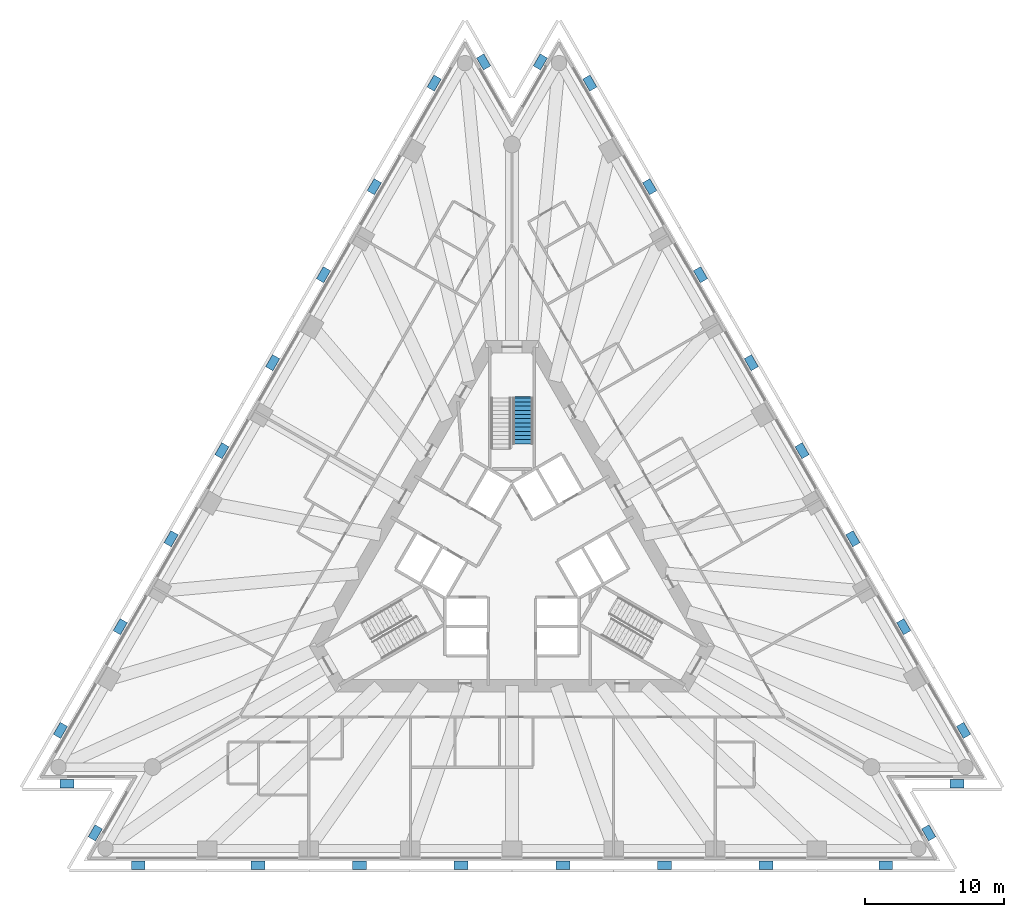
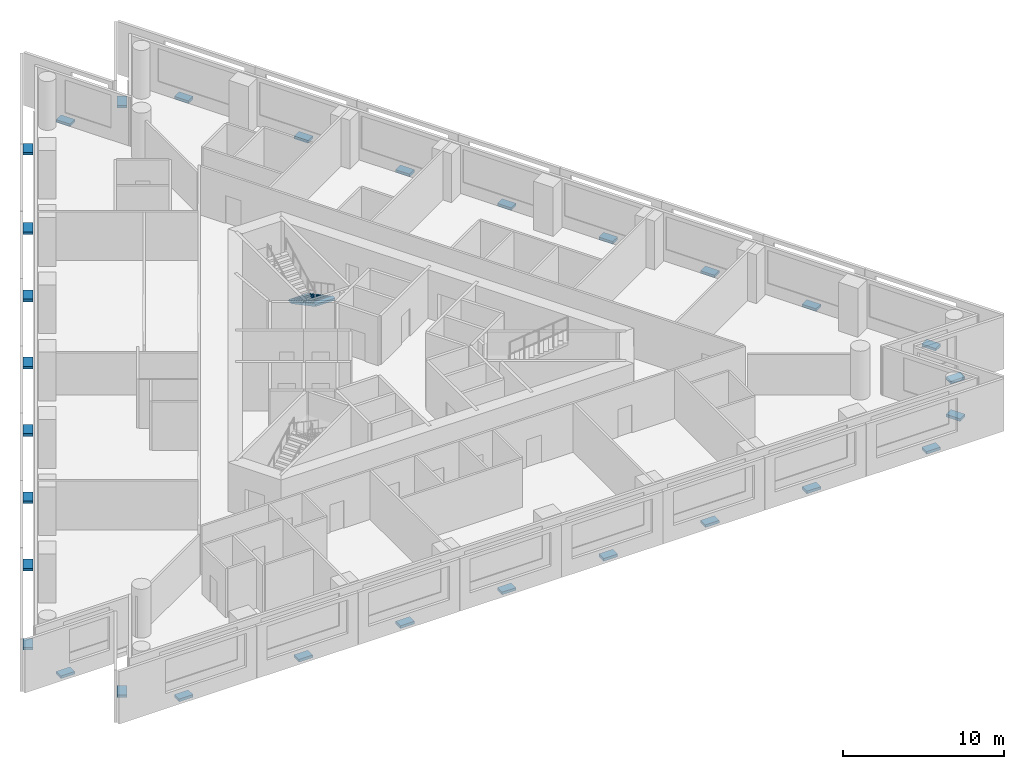
# One storey, part 9 of 11: 30 discrete accessories, 1 stair flight, 1 element without a shape of its own.
"""IFC4 building model written with IfcOpenShell, lengths in metres."""

from ifc_helpers import new_model, si_unit, direction, frame, origin, origin_2d, place, context, subcontext, project, spatial, polyline, rectangle, outline, extrude, material, type_object, element, aggregate, save


model = new_model("IFC4")

# Units and contexts
model_context = context("Model", 3, precision=1e-05, world=origin(), true_north=direction((0.0, 1.0)))
body_context = subcontext(model_context, "Body", "Model", "MODEL_VIEW")
ifc_project = project(units=[si_unit("LENGTHUNIT", "METRE"), si_unit("AREAUNIT", "SQUARE_METRE"), si_unit("VOLUMEUNIT", "CUBIC_METRE"), si_unit("PLANEANGLEUNIT", "RADIAN"), si_unit("MASSUNIT", "GRAM", prefix="KILO")], contexts=[model_context])

# Site, building, storey
site_placement = place(None, origin())
site = spatial("IfcSite", under=ifc_project, at=site_placement, CompositionType="ELEMENT")
building_placement = place(site_placement, origin())
building = spatial("IfcBuilding", under=site, at=building_placement, Name="Triada Interchange Tower", CompositionType="ELEMENT")
storey_placement = place(building_placement, frame((0.0, 0.0, 71.300048828125)))
storey = spatial("IfcBuildingStorey", under=building, at=storey_placement, Name="L15", CompositionType="ELEMENT", Elevation=71.300048828125)

# Stair, stair flight
ifc_material_1 = material(Name="Concrete C35/45", Category="concrete")
stair_type = type_object("IfcStairType", Name="HALF TURN STAIR 1400", PredefinedType="HALF_TURN_STAIR", material=ifc_material_1)
stair_placement = place(storey_placement, origin())
stair = element("IfcStair", 1, at=stair_placement, inside=storey, type_object=stair_type, Name="Exit stair S15-1", PredefinedType="HALF_TURN_STAIR")
stair_flight_type = type_object("IfcStairFlightType", Name="STRAIGHT STAIR FLIGHT 1400", PredefinedType="STRAIGHT", material=ifc_material_1)
stair_flight_placement = place(storey_placement, frame((0.800048828125, 11.60009765625, 0.0), z_axis=(0.0, 0.0, 1.0), x_axis=(0.0, -1.0, 0.0)))
stair_flight = element("IfcStairFlight", 2, at=stair_flight_placement, type_object=stair_flight_type, Name="S15-1 flight 1", NumberOfRisers=12, NumberOfTreads=11, PredefinedType="STRAIGHT", RiserHeight=0.16, TreadLength=0.3, context=body_context, shape_type="SweptSolid", body=[
    extrude(outline(polyline([(-0.10009765625, 0.0), (-0.10009765625, 0.02001953125), (0.0, 0.02001953125), (0.0, 0.159912109375), (0.300048828125, 0.159912109375), (0.300048828125, 0.320068359375), (0.60009765625, 0.320068359375), (0.60009765625, 0.47998046875), (0.89990234375, 0.47998046875), (0.89990234375, 0.639892578125), (1.199951171875, 0.639892578125), (1.199951171875, 0.800048828125), (1.5, 0.800048828125), (1.5, 0.9599609375), (1.800048828125, 0.9599609375), (1.800048828125, 1.1201171875), (2.10009765625, 1.1201171875), (2.10009765625, 1.280029296875), (2.39990234375, 1.280029296875), (2.39990234375, 1.43994140625), (2.699951171875, 1.43994140625), (2.699951171875, 1.60009765625), (3.0, 1.60009765625), (3.0, 1.760009765625), (3.300048828125, 1.760009765625), (3.303955078125, 1.760009765625), (3.303955078125, 1.919921875), (3.303955078125, 1.590087890625), (0.318603515625, 0.0), (-0.10009765625, 0.0)])), frame((0.0, 0.699951171875, 0.0), z_axis=(0.0, -1.0, 0.0), x_axis=(1.0, 0.0, 0.0)), (0.0, 0.0, 1.0), 0.46533203125),
    extrude(outline(polyline([(-0.10009765625, 0.0), (-0.10009765625, 0.02001953125), (0.0, 0.02001953125), (0.0, 0.159912109375), (0.300048828125, 0.159912109375), (0.300048828125, 0.320068359375), (0.60009765625, 0.320068359375), (0.60009765625, 0.47998046875), (0.89990234375, 0.47998046875), (0.89990234375, 0.639892578125), (1.199951171875, 0.639892578125), (1.199951171875, 0.800048828125), (1.5, 0.800048828125), (1.5, 0.9599609375), (1.800048828125, 0.9599609375), (1.800048828125, 1.1201171875), (2.10009765625, 1.1201171875), (2.10009765625, 1.280029296875), (2.39990234375, 1.280029296875), (2.39990234375, 1.43994140625), (2.699951171875, 1.43994140625), (2.699951171875, 1.60009765625), (3.0, 1.60009765625), (3.0, 1.760009765625), (3.300048828125, 1.760009765625), (3.303955078125, 1.760009765625), (3.303955078125, 1.919921875), (3.303955078125, 1.590087890625), (0.318603515625, 0.0), (-0.10009765625, 0.0)])), frame((0.0, 0.232666015625, 0.0), z_axis=(0.0, -1.0, 0.0), x_axis=(1.0, 0.0, 0.0)), (0.0, 0.0, 1.0), 0.46533203125),
    extrude(outline(polyline([(-0.10009765625, 0.0), (-0.10009765625, 0.02001953125), (0.0, 0.02001953125), (0.0, 0.159912109375), (0.300048828125, 0.159912109375), (0.300048828125, 0.320068359375), (0.60009765625, 0.320068359375), (0.60009765625, 0.47998046875), (0.89990234375, 0.47998046875), (0.89990234375, 0.639892578125), (1.199951171875, 0.639892578125), (1.199951171875, 0.800048828125), (1.5, 0.800048828125), (1.5, 0.9599609375), (1.800048828125, 0.9599609375), (1.800048828125, 1.1201171875), (2.10009765625, 1.1201171875), (2.10009765625, 1.280029296875), (2.39990234375, 1.280029296875), (2.39990234375, 1.43994140625), (2.699951171875, 1.43994140625), (2.699951171875, 1.60009765625), (3.0, 1.60009765625), (3.0, 1.760009765625), (3.300048828125, 1.760009765625), (3.303955078125, 1.760009765625), (3.303955078125, 1.919921875), (3.303955078125, 1.590087890625), (0.318603515625, 0.0), (-0.10009765625, 0.0)])), frame((0.0, -0.234619140625, 0.0), z_axis=(0.0, -1.0, 0.0), x_axis=(1.0, 0.0, 0.0)), (0.0, 0.0, 1.0), 0.46533203125),
])
aggregate(stair, [stair_flight])

# Discrete accessories
ifc_material_2 = material(Name="Steel S355", Category="steel")
discrete_accessory_type = type_object("IfcDiscreteAccessoryType", Name="Steel bracket outer skin", PredefinedType="BRACKET", material=ifc_material_2)
for number, where, z_axis, x_axis, name in (
    (3, (-5.5830078125, 34.175048828125, -0.27001953125), (0.0, 0.0, 1.0), (-0.866027245101, 0.499996810733, 0.0), "Bracket L15 01"),
    (4, (-9.8759765625, 26.739013671875, -0.27001953125), (0.0, 0.0, 1.0), (-0.866027245101, 0.499996810733, 0.0), "Bracket L15 02"),
    (5, (-13.52001953125, 20.427978515625, -0.27001953125), (0.0, 0.0, 1.0), (-0.866027245101, 0.499996810733, 0.0), "Bracket L15 03"),
    (6, (-17.1630859375, 14.116943359375, -0.27001953125), (0.0, 0.0, 1.0), (-0.866027245101, 0.499996810733, 0.0), "Bracket L15 04"),
    (7, (-20.806884765625, 7.804931640625, -0.27001953125), (0.0, 0.0, 1.0), (-0.866027245101, 0.499996810733, 0.0), "Bracket L15 05"),
    (8, (-24.450927734375, 1.493896484375, -0.27001953125), (0.0, 0.0, 1.0), (-0.866027245101, 0.499996810733, 0.0), "Bracket L15 06"),
    (9, (-28.094970703125, -4.81689453125, -0.27001953125), (0.0, 0.0, 1.0), (-0.866027245101, 0.499996810733, 0.0), "Bracket L15 07"),
    (10, (-32.387939453125, -12.2529296875, -0.27001953125), (0.0, 0.0, 1.0), (-0.866027245101, 0.499996810733, 0.0), "Bracket L15 08"),
    (11, (-31.922119140625, -16.083984375, -0.27001953125), (0.0, 0.0, 1.0), (0.0, -1.0, 0.0), "Bracket L15 09"),
    (12, (-29.889892578125, -19.60302734375, -0.27001953125), (0.0, 0.0, 1.0), (-0.866062070823, 0.499936485448, 0.0), "Bracket L15 10"),
    (13, (-26.804931640625, -21.922119140625, -0.27001953125), (0.0, 0.0, 1.0), (0.0, -1.0, 0.0), "Bracket L15 11"),
    (14, (-18.218994140625, -21.922119140625, -0.27001953125), (0.0, 0.0, 1.0), (0.0, -1.0, 0.0), "Bracket L15 12"),
    (15, (-10.930908203125, -21.922119140625, -0.27001953125), (0.0, 0.0, 1.0), (0.0, -1.0, 0.0), "Bracket L15 13"),
    (16, (-3.64404296875, -21.922119140625, -0.27001953125), (0.0, 0.0, 1.0), (0.0, -1.0, 0.0), "Bracket L15 14"),
    (17, (3.64404296875, -21.922119140625, -0.27001953125), (0.0, 0.0, 1.0), (0.0, -1.0, 0.0), "Bracket L15 15"),
    (18, (10.930908203125, -21.922119140625, -0.27001953125), (0.0, 0.0, 1.0), (0.0, -1.0, 0.0), "Bracket L15 16"),
    (19, (18.218994140625, -21.922119140625, -0.27001953125), (0.0, 0.0, 1.0), (0.0, -1.0, 0.0), "Bracket L15 17"),
    (20, (26.804931640625, -21.922119140625, -0.27001953125), (0.0, 0.0, 1.0), (0.0, -1.0, 0.0), "Bracket L15 18"),
    (21, (29.889892578125, -19.60302734375, -0.27001953125), (0.0, 0.0, 1.0), (0.866062070823, 0.499936485448, 0.0), "Bracket L15 19"),
    (22, (31.922119140625, -16.083984375, -0.27001953125), (0.0, 0.0, 1.0), (0.0, -1.0, 0.0), "Bracket L15 20"),
    (23, (32.387939453125, -12.2529296875, -0.27001953125), (0.0, 0.0, 1.0), (0.866027245101, 0.499996810733, 0.0), "Bracket L15 21"),
    (24, (28.094970703125, -4.81689453125, -0.27001953125), (0.0, 0.0, 1.0), (0.866027245101, 0.499996810733, 0.0), "Bracket L15 22"),
    (25, (24.450927734375, 1.493896484375, -0.27001953125), (0.0, 0.0, 1.0), (0.866027245101, 0.499996810733, 0.0), "Bracket L15 23"),
    (26, (20.806884765625, 7.804931640625, -0.27001953125), (0.0, 0.0, 1.0), (0.866027245101, 0.499996810733, 0.0), "Bracket L15 24"),
    (27, (17.1630859375, 14.116943359375, -0.27001953125), (0.0, 0.0, 1.0), (0.866027245101, 0.499996810733, 0.0), "Bracket L15 25"),
    (28, (13.52001953125, 20.427978515625, -0.27001953125), (0.0, 0.0, 1.0), (0.866027245101, 0.499996810733, 0.0), "Bracket L15 26"),
    (29, (9.8759765625, 26.739013671875, -0.27001953125), (0.0, 0.0, 1.0), (0.866027245101, 0.499996810733, 0.0), "Bracket L15 27"),
    (30, (5.5830078125, 34.175048828125, -0.27001953125), (0.0, 0.0, 1.0), (0.866027245101, 0.499996810733, 0.0), "Bracket L15 28"),
    (31, (2.031982421875, 35.68701171875, -0.27001953125), (0.0, 0.0, 1.0), (-0.865997834993, 0.500047747508, 0.0), "Bracket L15 29"),
    (32, (-2.031982421875, 35.68701171875, -0.27001953125), (0.0, 0.0, 1.0), (0.865997834993, 0.500047747508, 0.0), "Bracket L15 30"),
):
    element("IfcDiscreteAccessory", number, at=place(storey_placement, frame(where, z_axis=z_axis, x_axis=x_axis)), inside=storey, type_object=discrete_accessory_type, Name=name, PredefinedType="BRACKET", context=body_context, shape_type="SweptSolid", body=[
        extrude(rectangle(XDim=0.60009765625, YDim=1.0, at=origin_2d()), origin(), (0.0, 0.0, 1.0), 0.199951171875),
    ])

save(model, "model.ifc")
